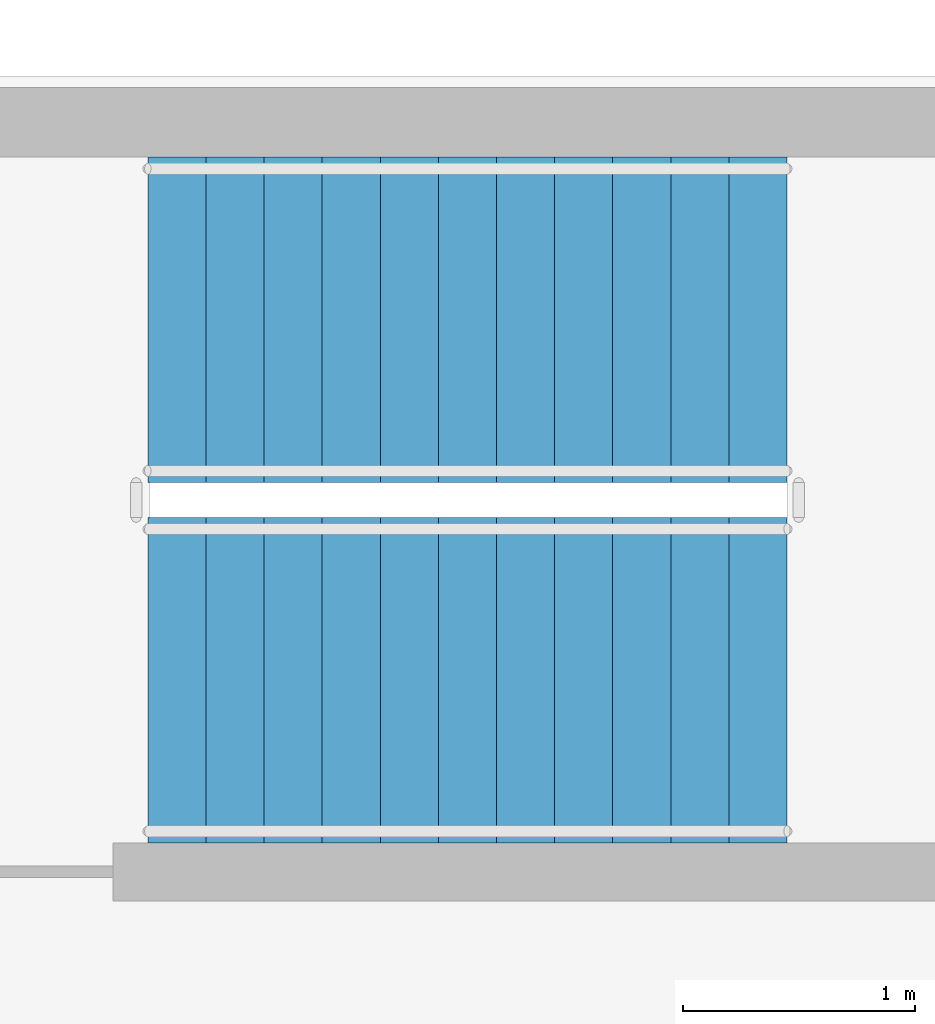
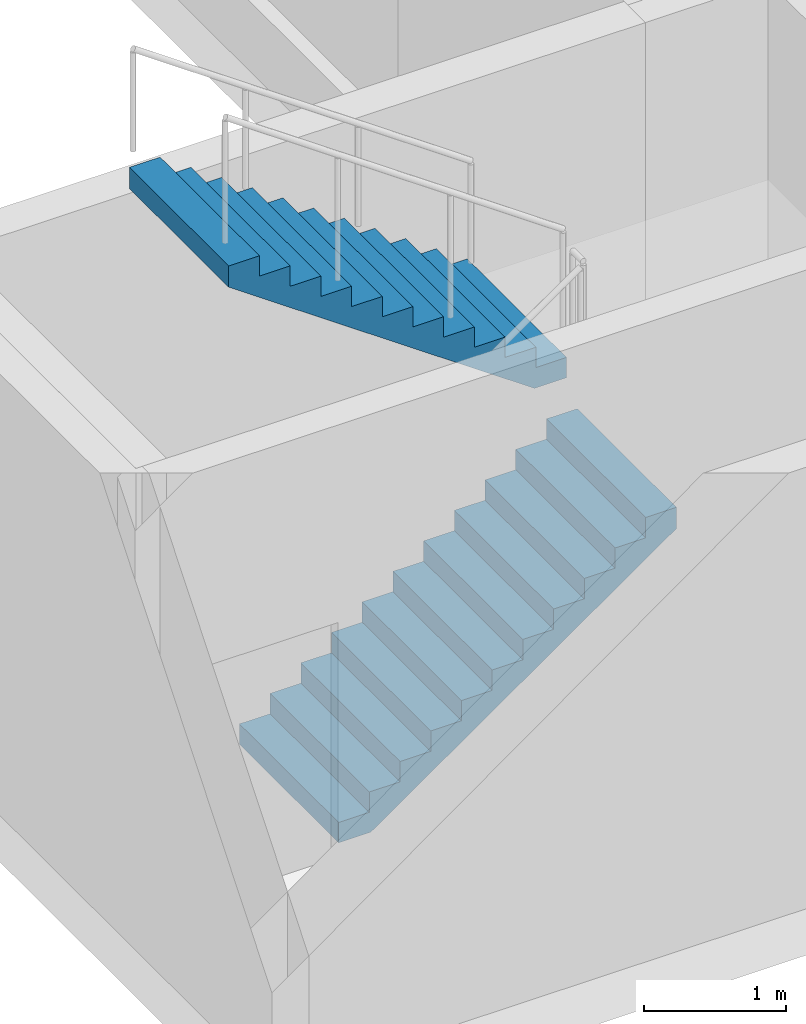
# One storey, part 9 of 14: 2 stair flights, 1 element without a shape of its own.
"""IFC4 building model written with IfcOpenShell, lengths in metres."""

from ifc_helpers import new_model, si_unit, direction, frame, origin, place, context, subcontext, project, spatial, polyline, outline, extrude, source, transform, mapped, material, type_object, element, aggregate, save


model = new_model("IFC4")

# Units and contexts
model_context = context("Model", 3, precision=1e-05, world=origin(), true_north=direction((0.0, 1.0)))
body_context = subcontext(model_context, "Body", "Model", "MODEL_VIEW")
ifc_project = project(units=[si_unit("LENGTHUNIT", "METRE"), si_unit("AREAUNIT", "SQUARE_METRE"), si_unit("VOLUMEUNIT", "CUBIC_METRE"), si_unit("PLANEANGLEUNIT", "RADIAN"), si_unit("MASSUNIT", "GRAM", prefix="KILO")], contexts=[model_context])

# Site, building, storey
site_placement = place(None, origin())
site = spatial("IfcSite", under=ifc_project, at=site_placement, CompositionType="ELEMENT")
building_placement = place(site_placement, origin())
building = spatial("IfcBuilding", under=site, at=building_placement, Name="Aurelian Terraces", CompositionType="ELEMENT")
storey_placement = place(building_placement, frame((0.0, 0.0, 128.7)))
storey = spatial("IfcBuildingStorey", under=building, at=storey_placement, Name="L28", CompositionType="ELEMENT", Elevation=128.7)

# Stair, stair flights
ifc_material = material(Name="Concrete fc' 40 MPa", Category="concrete")
stair_type = type_object("IfcStairType", Name="Stair 1400", PredefinedType="HALF_TURN_STAIR", material=ifc_material)
stair_placement = place(storey_placement, origin())
stair = element("IfcStair", 1, at=stair_placement, inside=storey, type_object=stair_type, Name="L28 S3", PredefinedType="HALF_TURN_STAIR")
stair_flight_type = type_object("IfcStairFlightType", Name="Stair flight 1400", PredefinedType="STRAIGHT", material=ifc_material)
shared_shape = source(origin(), body_context, "Body", "SweptSolid", [
    extrude(outline(polyline([(0.0, 0.0), (0.0, 0.175), (0.25, 0.175), (0.25, 0.35), (0.5, 0.35), (0.5, 0.525), (0.75, 0.525), (0.75, 0.7), (1.0, 0.7), (1.0, 0.875), (1.25, 0.875), (1.25, 1.05), (1.5, 1.05), (1.5, 1.225), (1.75, 1.225), (1.75, 1.4), (2.0, 1.4), (2.0, 1.575), (2.25, 1.575), (2.25, 1.75), (2.5, 1.75), (2.5, 1.925), (2.75, 1.925), (2.75, 2.1), (2.75, 1.7419), (0.2616, 0.0), (0.0, 0.0)])), frame((0.0, 0.7, 0.0), z_axis=(0.0, -1.0, 0.0), x_axis=(1.0, 0.0, 0.0)), (0.0, 0.0, 1.0), 1.4),
])
stair_flight_1_placement = place(storey_placement, frame((2.1, 41.35, 2e-08), z_axis=(0.0, 0.0, 1.0), x_axis=(1.0, 0.0, 0.0)))
stair_flight_1 = element("IfcStairFlight", 2, at=stair_flight_1_placement, type_object=stair_flight_type, Name="S3 flight 1", NumberOfRisers=12, NumberOfTreads=11, PredefinedType="STRAIGHT", RiserHeight=0.175, TreadLength=0.25, context=body_context, shape_type="MappedRepresentation", body=[
    mapped(shared_shape, transform((0.0, 0.0, 0.0), scale=1.0)),
])
stair_flight_2_placement = place(storey_placement, frame((4.85, 42.9, 2.1000000200000226), z_axis=(0.0, 0.0, 1.0), x_axis=(-1.0, 0.0, 0.0)))
stair_flight_2 = element("IfcStairFlight", 3, at=stair_flight_2_placement, type_object=stair_flight_type, Name="S3 flight 2", NumberOfRisers=12, NumberOfTreads=11, PredefinedType="STRAIGHT", RiserHeight=0.175, TreadLength=0.25, context=body_context, shape_type="MappedRepresentation", body=[
    mapped(shared_shape, transform((0.0, 0.0, 0.0), scale=1.0)),
])
aggregate(stair, [stair_flight_1, stair_flight_2])

save(model, "model.ifc")
